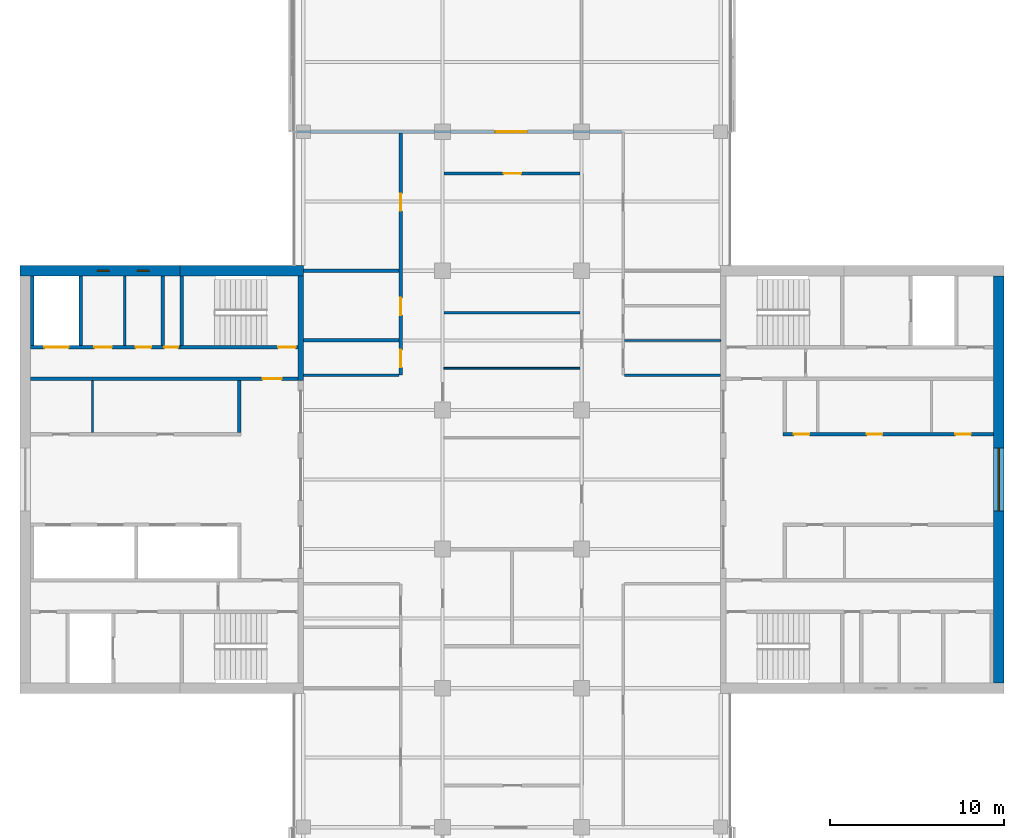
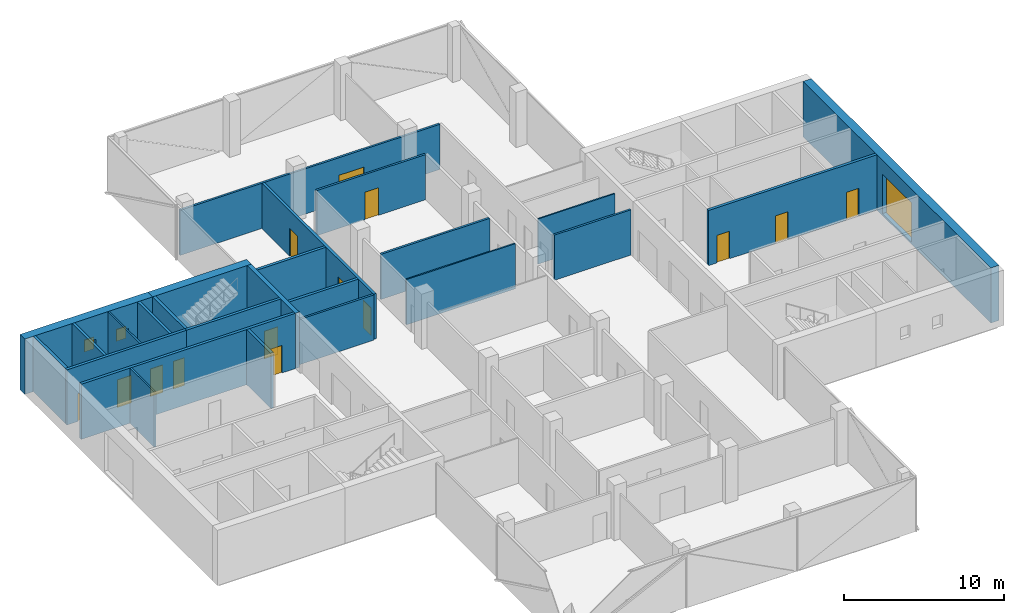
# One storey, part 11 of 15: 25 walls, 14 doors, 3 windows, 17 openings.
"""IFC4 building model written with IfcOpenShell, lengths in metres."""

from ifc_helpers import new_model, si_unit, direction, frame, frame_2d, origin, place, context, subcontext, project, spatial, rectangle, extrude, material, layer, layer_set, constituent, constituent_set, type_object, element, fill, save


model = new_model("IFC4")

# Units and contexts
model_context = context("Model", 3, precision=1e-05, world=origin(), true_north=direction((0.0, 1.0)))
body_context = subcontext(model_context, "Body", "Model", "MODEL_VIEW")
ifc_project = project(units=[si_unit("LENGTHUNIT", "METRE"), si_unit("AREAUNIT", "SQUARE_METRE"), si_unit("VOLUMEUNIT", "CUBIC_METRE"), si_unit("PLANEANGLEUNIT", "RADIAN"), si_unit("MASSUNIT", "GRAM", prefix="KILO")], contexts=[model_context])

# Site, building, storey
site_placement = place(None, origin())
site = spatial("IfcSite", under=ifc_project, at=site_placement, CompositionType="ELEMENT")
building_placement = place(site_placement, origin())
building = spatial("IfcBuilding", under=site, at=building_placement, Name="Crosswind Convention Tower", CompositionType="ELEMENT")
storey_placement = place(building_placement, frame((0.0, 0.0, 220.89990234375)))
storey = spatial("IfcBuildingStorey", under=building, at=storey_placement, Name="L47", CompositionType="ELEMENT", Elevation=220.89990234375)

# Wall
ifc_material_1 = material(Name="Concrete blockwork", Category="masonry")
ifc_layer_1 = layer(ifc_material_1, 0.199951171875)
ifc_layer_set_1 = layer_set([ifc_layer_1], Name="Blockwork partition wall 200")
wall_type_1 = type_object("IfcWallType", Name="Blockwork partition wall 200", PredefinedType="PARTITIONING", material=ifc_layer_set_1)
wall_1_placement = place(storey_placement, frame((104.89990234375, 111.699951171875, 0.0), z_axis=(0.0, 0.0, 1.0), x_axis=(0.0, -1.0, 0.0)))
element("IfcWall", 1, at=wall_1_placement, inside=storey, type_object=wall_type_1, Name="Wall MRSE W L47", PredefinedType="PARTITIONING", context=body_context, shape_type="SweptSolid", body=[
    extrude(rectangle(XDim=4.0, YDim=0.199951171875, at=frame_2d((2.0, 0.0))), origin(), (0.0, 0.0, 1.0), 4.2001953125),
])

# Wall, openings, doors
ifc_layer_2 = layer(ifc_material_1, 0.199951171875)
ifc_layer_set_2 = layer_set([ifc_layer_2], Name="COMPARTMENT WALL 200 BLOCKWORK")
wall_type_2 = type_object("IfcWallType", Name="COMPARTMENT WALL 200 BLOCKWORK", PredefinedType="SOLIDWALL", material=ifc_layer_set_2)
wall_2_placement = place(storey_placement, frame((118.60009765625, 106.0, 0.0), z_axis=(0.0, 0.0, 1.0), x_axis=(0.0, 1.0, 0.0)))
wall_2 = element("IfcWall", 2, at=wall_2_placement, inside=storey, type_object=wall_type_2, Name="Compartment wall WT42", PredefinedType="SOLIDWALL", context=body_context, shape_type="SweptSolid", body=[
    extrude(rectangle(XDim=13.925048828125, YDim=0.199951171875, at=frame_2d((6.96240234375, 0.0))), origin(), (0.0, 0.0, 1.0), 3.43994140625),
])
opening_1_placement = place(wall_2_placement, frame((0.449951171875, 0.0, 0.0)))
opening_1 = element("IfcOpeningElement", 3, at=opening_1_placement, cuts=wall_2, Name="Opening L47-55", PredefinedType="OPENING", context=body_context, shape_type="SweptSolid", body=[
    extrude(rectangle(XDim=1.0, YDim=2.10009765625, at=frame_2d((0.5, 1.050048828125))), frame((0.0, 0.10986328125, 0.0), z_axis=(0.0, -1.0, 0.0), x_axis=(1.0, 0.0, 0.0)), (0.0, 0.0, 1.0), 0.219970703125),
])
opening_2_placement = place(wall_2_placement, frame((3.449951171875, 0.0, 0.0)))
opening_2 = element("IfcOpeningElement", 4, at=opening_2_placement, cuts=wall_2, Name="Opening L47-56", PredefinedType="OPENING", context=body_context, shape_type="SweptSolid", body=[
    extrude(rectangle(XDim=1.0, YDim=2.10009765625, at=frame_2d((0.5, 1.050048828125))), frame((0.0, 0.10986328125, 0.0), z_axis=(0.0, -1.0, 0.0), x_axis=(1.0, 0.0, 0.0)), (0.0, 0.0, 1.0), 0.219970703125),
])
opening_3_placement = place(wall_2_placement, frame((9.449951171875, 0.0, 0.0)))
opening_3 = element("IfcOpeningElement", 5, at=opening_3_placement, cuts=wall_2, Name="Opening L47-57", PredefinedType="OPENING", context=body_context, shape_type="SweptSolid", body=[
    extrude(rectangle(XDim=1.0, YDim=2.10009765625, at=frame_2d((0.5, 1.050048828125))), frame((0.0, 0.10986328125, 0.0), z_axis=(0.0, -1.0, 0.0), x_axis=(1.0, 0.0, 0.0)), (0.0, 0.0, 1.0), 0.219970703125),
])
ifc_material_2 = material(Name="Steel fire door", Category="steel")
door_type_1 = type_object("IfcDoorType", Name="PLANT ROOM DOOR 1000X2100 FD60", OperationType="NOTDEFINED", PredefinedType="DOOR", material=ifc_material_2)
door_1_placement = place(opening_2_placement, origin())
door_1 = element("IfcDoor", 6, at=door_1_placement, inside=storey, type_object=door_type_1, Name="Door L47-56", ObjectType="D43", OperationType="SINGLE_SWING_LEFT", OverallHeight=2.10009765625, OverallWidth=1.0, PredefinedType="DOOR", context=body_context, shape_type="SweptSolid", body=[
    extrude(rectangle(XDim=1.0, YDim=2.10009765625, at=frame_2d((0.5, 1.050048828125))), frame((0.0, 0.02490234375, 0.0), z_axis=(0.0, -1.0, 0.0), x_axis=(1.0, 0.0, 0.0)), (0.0, 0.0, 1.0), 0.050048828125),
])
fill(opening_2, door_1)
ifc_material_3 = material(Name="Timber fire door", Category="wood")
door_type_2 = type_object("IfcDoorType", Name="TENANCY ENTRANCE DOOR 1000X2100 FD30S", OperationType="NOTDEFINED", PredefinedType="DOOR", material=ifc_material_3)
door_2_placement = place(opening_1_placement, origin())
door_2 = element("IfcDoor", 7, at=door_2_placement, inside=storey, type_object=door_type_2, Name="Door L47-55", ObjectType="D41", OperationType="SINGLE_SWING_LEFT", OverallHeight=2.10009765625, OverallWidth=1.0, PredefinedType="DOOR", context=body_context, shape_type="SweptSolid", body=[
    extrude(rectangle(XDim=1.0, YDim=2.10009765625, at=frame_2d((0.5, 1.050048828125))), frame((0.0, 0.02490234375, 0.0), z_axis=(0.0, -1.0, 0.0), x_axis=(1.0, 0.0, 0.0)), (0.0, 0.0, 1.0), 0.050048828125),
])
fill(opening_1, door_2)
door_3_placement = place(opening_3_placement, origin())
door_3 = element("IfcDoor", 8, at=door_3_placement, inside=storey, type_object=door_type_2, Name="Door L47-57", ObjectType="D41", OperationType="SINGLE_SWING_LEFT", OverallHeight=2.10009765625, OverallWidth=1.0, PredefinedType="DOOR", context=body_context, shape_type="SweptSolid", body=[
    extrude(rectangle(XDim=1.0, YDim=2.10009765625, at=frame_2d((0.5, 1.050048828125))), frame((0.0, 0.02490234375, 0.0), z_axis=(0.0, -1.0, 0.0), x_axis=(1.0, 0.0, 0.0)), (0.0, 0.0, 1.0), 0.050048828125),
])
fill(opening_3, door_3)

# Walls
for number, where, z_axis, x_axis, name in (
    (9, (113.0, 108.0, 0.0), (0.0, 0.0, 1.0), (1.0, 0.0, 0.0), "Compartment wall WT42"),
    (10, (113.0, 112.0, 0.0), (0.0, 0.0, 1.0), (1.0, 0.0, 0.0), "Compartment wall WT42"),
):
    element("IfcWall", number, at=place(storey_placement, frame(where, z_axis=z_axis, x_axis=x_axis)), inside=storey, type_object=wall_type_2, Name=name, PredefinedType="SOLIDWALL", context=body_context, shape_type="SweptSolid", body=[
        extrude(rectangle(XDim=5.5, YDim=0.199951171875, at=frame_2d((2.75, 0.0))), origin(), (0.0, 0.0, 1.0), 3.43994140625),
    ])
ifc_material_4 = material(Name="Concrete C50/60", Category="concrete")
ifc_layer_3 = layer(ifc_material_4, 0.300048828125)
ifc_layer_set_3 = layer_set([ifc_layer_3], Name="Concrete C50/60")
wall_type_3 = type_object("IfcWallType", Name="Concrete inner core wall 300", PredefinedType="SHEAR", material=ifc_layer_set_3)
wall_3_placement = place(storey_placement, frame((112.85009765625, 111.699951171875, 0.0), z_axis=(0.0, 0.0, 1.0), x_axis=(0.0, -1.0, 0.0)))
element("IfcWall", 11, at=wall_3_placement, inside=storey, type_object=wall_type_3, Name="Wall EM W L47", PredefinedType="SHEAR", context=body_context, shape_type="SweptSolid", body=[
    extrude(rectangle(XDim=6.0, YDim=0.300048828125, at=frame_2d((3.0, 0.0))), origin(), (0.0, 0.0, 1.0), 4.2001953125),
])

# Wall, openings, doors
ifc_layer_4 = layer(ifc_material_4, 0.199951171875)
ifc_layer_set_4 = layer_set([ifc_layer_4], Name="Concrete C50/60")
wall_type_4 = type_object("IfcWallType", Name="Concrete shaft and stair wall 200", PredefinedType="SHEAR", material=ifc_layer_set_4)
wall_4_placement = place(storey_placement, frame((140.60009765625, 102.60009765625, 0.0), z_axis=(0.0, 0.0, 1.0), x_axis=(1.0, 0.0, 0.0)))
wall_4 = element("IfcWall", 12, at=wall_4_placement, inside=storey, type_object=wall_type_4, Name="Wall RPFRONT E L47", PredefinedType="SHEAR", context=body_context, shape_type="SweptSolid", body=[
    extrude(rectangle(XDim=12.099853515625, YDim=0.199951171875, at=frame_2d((6.0498046875, 0.0))), origin(), (0.0, 0.0, 1.0), 4.2001953125),
])
opening_4_placement = place(wall_4_placement, frame((0.611328125, 0.0, 0.0)))
opening_4 = element("IfcOpeningElement", 13, at=opening_4_placement, cuts=wall_4, Name="Opening D106", PredefinedType="OPENING", context=body_context, shape_type="SweptSolid", body=[
    extrude(rectangle(XDim=0.89990234375, YDim=2.10009765625, at=frame_2d((0.449951171875, 1.050048828125))), frame((0.0, 0.10986328125, 0.0), z_axis=(0.0, -1.0, 0.0), x_axis=(1.0, 0.0, 0.0)), (0.0, 0.0, 1.0), 0.219970703125),
])
opening_5_placement = place(wall_4_placement, frame((4.8076171875, 0.0, 0.0)))
opening_5 = element("IfcOpeningElement", 14, at=opening_5_placement, cuts=wall_4, Name="Opening D106", PredefinedType="OPENING", context=body_context, shape_type="SweptSolid", body=[
    extrude(rectangle(XDim=0.89990234375, YDim=2.10009765625, at=frame_2d((0.449951171875, 1.050048828125))), frame((0.0, 0.10986328125, 0.0), z_axis=(0.0, -1.0, 0.0), x_axis=(1.0, 0.0, 0.0)), (0.0, 0.0, 1.0), 0.219970703125),
])
opening_6_placement = place(wall_4_placement, frame((9.896240234375, 0.0, 0.0)))
opening_6 = element("IfcOpeningElement", 15, at=opening_6_placement, cuts=wall_4, Name="Opening D106", PredefinedType="OPENING", context=body_context, shape_type="SweptSolid", body=[
    extrude(rectangle(XDim=0.89990234375, YDim=2.10009765625, at=frame_2d((0.449951171875, 1.050048828125))), frame((0.0, 0.10986328125, 0.0), z_axis=(0.0, -1.0, 0.0), x_axis=(1.0, 0.0, 0.0)), (0.0, 0.0, 1.0), 0.219970703125),
])
ifc_material_5 = material(Name="Timber door", Category="wood")
door_type_3 = type_object("IfcDoorType", Name="Single leaf door 900x2100", OperationType="NOTDEFINED", PredefinedType="DOOR", material=ifc_material_5)
door_4_placement = place(opening_4_placement, origin())
door_4 = element("IfcDoor", 16, at=door_4_placement, inside=storey, type_object=door_type_3, Name="Door to tenant services room L47", ObjectType="D106", OperationType="SINGLE_SWING_RIGHT", OverallHeight=2.10009765625, OverallWidth=0.89990234375, PredefinedType="DOOR", context=body_context, shape_type="SweptSolid", body=[
    extrude(rectangle(XDim=0.89990234375, YDim=2.10009765625, at=frame_2d((0.449951171875, 1.050048828125))), frame((0.0, 0.02490234375, 0.0), z_axis=(0.0, -1.0, 0.0), x_axis=(1.0, 0.0, 0.0)), (0.0, 0.0, 1.0), 0.050048828125),
])
fill(opening_4, door_4)
door_5_placement = place(opening_5_placement, origin())
door_5 = element("IfcDoor", 17, at=door_5_placement, inside=storey, type_object=door_type_3, Name="Door to copy and print room L47", ObjectType="D106", OperationType="SINGLE_SWING_RIGHT", OverallHeight=2.10009765625, OverallWidth=0.89990234375, PredefinedType="DOOR", context=body_context, shape_type="SweptSolid", body=[
    extrude(rectangle(XDim=0.89990234375, YDim=2.10009765625, at=frame_2d((0.449951171875, 1.050048828125))), frame((0.0, 0.02490234375, 0.0), z_axis=(0.0, -1.0, 0.0), x_axis=(1.0, 0.0, 0.0)), (0.0, 0.0, 1.0), 0.050048828125),
])
fill(opening_5, door_5)
door_6_placement = place(opening_6_placement, origin())
door_6 = element("IfcDoor", 18, at=door_6_placement, inside=storey, type_object=door_type_3, Name="Door to meeting room L47", ObjectType="D106", OperationType="SINGLE_SWING_RIGHT", OverallHeight=2.10009765625, OverallWidth=0.89990234375, PredefinedType="DOOR", context=body_context, shape_type="SweptSolid", body=[
    extrude(rectangle(XDim=0.89990234375, YDim=2.10009765625, at=frame_2d((0.449951171875, 1.050048828125))), frame((0.0, 0.02490234375, 0.0), z_axis=(0.0, -1.0, 0.0), x_axis=(1.0, 0.0, 0.0)), (0.0, 0.0, 1.0), 0.050048828125),
])
fill(opening_6, door_6)

# Wall
wall_5_placement = place(storey_placement, frame((109.300048828125, 105.699951171875, 0.0), z_axis=(0.0, 0.0, 1.0), x_axis=(0.0, -1.0, 0.0)))
element("IfcWall", 19, at=wall_5_placement, inside=storey, type_object=wall_type_4, Name="Wall RMEND W L47", PredefinedType="SHEAR", context=body_context, shape_type="SweptSolid", body=[
    extrude(rectangle(XDim=3.0, YDim=0.199951171875, at=frame_2d((1.5, 0.0))), origin(), (0.0, 0.0, 1.0), 4.2001953125),
])

# Wall, opening, door
wall_6_placement = place(storey_placement, frame((112.699951171875, 105.800048828125, 0.0), z_axis=(0.0, 0.0, 1.0), x_axis=(-1.0, 0.0, 0.0)))
wall_6 = element("IfcWall", 20, at=wall_6_placement, inside=storey, type_object=wall_type_4, Name="Wall HM W L47", PredefinedType="SHEAR", context=body_context, shape_type="SweptSolid", body=[
    extrude(rectangle(XDim=15.39990234375, YDim=0.199951171875, at=frame_2d((7.699951171875, 0.0))), origin(), (0.0, 0.0, 1.0), 4.2001953125),
])
opening_7_placement = place(wall_6_placement, frame((0.949951171875, 0.0, 0.0)))
opening_7 = element("IfcOpeningElement", 21, at=opening_7_placement, cuts=wall_6, Name="Opening D104", PredefinedType="OPENING", context=body_context, shape_type="SweptSolid", body=[
    extrude(rectangle(XDim=1.10009765625, YDim=2.10009765625, at=frame_2d((0.550048828125, 1.050048828125))), frame((0.0, 0.10986328125, 0.0), z_axis=(0.0, -1.0, 0.0), x_axis=(1.0, 0.0, 0.0)), (0.0, 0.0, 1.0), 0.219970703125),
])
door_type_4 = type_object("IfcDoorType", Name="Fire-rated single door 1100x2100", OperationType="NOTDEFINED", PredefinedType="DOOR", material=ifc_material_2)
door_7_placement = place(opening_7_placement, origin())
door_7 = element("IfcDoor", 22, at=door_7_placement, inside=storey, type_object=door_type_4, Name="Corridor door L47", ObjectType="D104", OperationType="SINGLE_SWING_LEFT", OverallHeight=2.10009765625, OverallWidth=1.10009765625, PredefinedType="DOOR", context=body_context, shape_type="SweptSolid", body=[
    extrude(rectangle(XDim=1.10009765625, YDim=2.10009765625, at=frame_2d((0.550048828125, 1.050048828125))), frame((0.0, 0.02490234375, 0.0), z_axis=(0.0, -1.0, 0.0), x_axis=(1.0, 0.0, 0.0)), (0.0, 0.0, 1.0), 0.050048828125),
])
fill(opening_7, door_7)

# Walls
for number, where, z_axis, x_axis, name in (
    (23, (106.0, 111.699951171875, 0.0), (0.0, 0.0, 1.0), (0.0, -1.0, 0.0), "Wall MSE W L47"),
    (24, (100.199951171875, 111.699951171875, 0.0), (0.0, 0.0, 1.0), (0.0, -1.0, 0.0), "Wall MFSW W L47"),
    (25, (97.39990234375, 111.699951171875, 0.0), (0.0, 0.0, 1.0), (0.0, -1.0, 0.0), "Wall MFSE W L47"),
):
    element("IfcWall", number, at=place(storey_placement, frame(where, z_axis=z_axis, x_axis=x_axis)), inside=storey, type_object=wall_type_4, Name=name, PredefinedType="SHEAR", context=body_context, shape_type="SweptSolid", body=[
        extrude(rectangle(XDim=4.0, YDim=0.199951171875, at=frame_2d((2.0, 0.0))), origin(), (0.0, 0.0, 1.0), 4.2001953125),
    ])

# Wall, opening, door
wall_7_placement = place(storey_placement, frame((112.699951171875, 107.60009765625, 0.0), z_axis=(0.0, 0.0, 1.0), x_axis=(-1.0, 0.0, 0.0)))
wall_7 = element("IfcWall", 26, at=wall_7_placement, inside=storey, type_object=wall_type_4, Name="Wall MCW W L47", PredefinedType="SHEAR", context=body_context, shape_type="SweptSolid", body=[
    extrude(rectangle(XDim=6.800048828125, YDim=0.199951171875, at=frame_2d((3.39990234375, 0.0))), origin(), (0.0, 0.0, 1.0), 4.2001953125),
])
opening_8_placement = place(wall_7_placement, frame((0.14990234375, 0.0, 0.0)))
opening_8 = element("IfcOpeningElement", 27, at=opening_8_placement, cuts=wall_7, Name="Opening D103", PredefinedType="OPENING", context=body_context, shape_type="SweptSolid", body=[
    extrude(rectangle(XDim=1.0, YDim=2.10009765625, at=frame_2d((0.5, 1.050048828125))), frame((0.0, 0.10986328125, 0.0), z_axis=(0.0, -1.0, 0.0), x_axis=(1.0, 0.0, 0.0)), (0.0, 0.0, 1.0), 0.219970703125),
])
door_type_5 = type_object("IfcDoorType", Name="Fire-rated single door 1000x2100", OperationType="NOTDEFINED", PredefinedType="DOOR", material=ifc_material_2)
door_8_placement = place(opening_8_placement, frame((1.0, 0.0, 0.0), z_axis=(0.0, 0.0, 1.0), x_axis=(-1.0, 0.0, 0.0)))
door_8 = element("IfcDoor", 28, at=door_8_placement, inside=storey, type_object=door_type_5, Name="Stair ST4 door L47", ObjectType="D103", OperationType="SINGLE_SWING_RIGHT", OverallHeight=2.10009765625, OverallWidth=1.0, PredefinedType="DOOR", context=body_context, shape_type="SweptSolid", body=[
    extrude(rectangle(XDim=1.0, YDim=2.10009765625, at=frame_2d((0.5, 1.050048828125))), frame((0.0, 0.02490234375, 0.0), z_axis=(0.0, -1.0, 0.0), x_axis=(1.0, 0.0, 0.0)), (0.0, 0.0, 1.0), 0.050048828125),
])
fill(opening_8, door_8)

# Wall, openings, doors
wall_8_placement = place(storey_placement, frame((105.89990234375, 107.60009765625, 0.0), z_axis=(0.0, 0.0, 1.0), x_axis=(-1.0, 0.0, 0.0)))
wall_8 = element("IfcWall", 29, at=wall_8_placement, inside=storey, type_object=wall_type_4, Name="Wall MCX W L47", PredefinedType="SHEAR", context=body_context, shape_type="SweptSolid", body=[
    extrude(rectangle(XDim=8.599853515625, YDim=0.199951171875, at=frame_2d((4.2998046875, 0.0))), origin(), (0.0, 0.0, 1.0), 4.2001953125),
])
opening_9_placement = place(wall_8_placement, frame((0.10009765625, 0.0, 0.0)))
opening_9 = element("IfcOpeningElement", 30, at=opening_9_placement, cuts=wall_8, Name="Opening D105", PredefinedType="OPENING", context=body_context, shape_type="SweptSolid", body=[
    extrude(rectangle(XDim=0.800048828125, YDim=2.10009765625, at=frame_2d((0.39990234375, 1.050048828125))), frame((0.0, 0.10986328125, 0.0), z_axis=(0.0, -1.0, 0.0), x_axis=(1.0, 0.0, 0.0)), (0.0, 0.0, 1.0), 0.219970703125),
])
opening_10_placement = place(wall_8_placement, frame((1.65380859375, 0.0, 0.0)))
opening_10 = element("IfcOpeningElement", 31, at=opening_10_placement, cuts=wall_8, Name="Opening D106", PredefinedType="OPENING", context=body_context, shape_type="SweptSolid", body=[
    extrude(rectangle(XDim=0.89990234375, YDim=2.10009765625, at=frame_2d((0.449951171875, 1.050048828125))), frame((0.0, 0.10986328125, 0.0), z_axis=(0.0, -1.0, 0.0), x_axis=(1.0, 0.0, 0.0)), (0.0, 0.0, 1.0), 0.219970703125),
])
opening_11_placement = place(wall_8_placement, frame((3.916259765625, 0.0, 0.0)))
opening_11 = element("IfcOpeningElement", 32, at=opening_11_placement, cuts=wall_8, Name="Opening D103", PredefinedType="OPENING", context=body_context, shape_type="SweptSolid", body=[
    extrude(rectangle(XDim=1.0, YDim=2.10009765625, at=frame_2d((0.5, 1.050048828125))), frame((0.0, 0.10986328125, 0.0), z_axis=(0.0, -1.0, 0.0), x_axis=(1.0, 0.0, 0.0)), (0.0, 0.0, 1.0), 0.219970703125),
])
opening_12_placement = place(wall_8_placement, frame((6.39990234375, 0.0, 0.0)))
opening_12 = element("IfcOpeningElement", 33, at=opening_12_placement, cuts=wall_8, Name="Opening LD2", PredefinedType="OPENING", context=body_context, shape_type="SweptSolid", body=[
    extrude(rectangle(XDim=1.39990234375, YDim=2.10009765625, at=frame_2d((0.699951171875, 1.050048828125))), frame((0.0, 0.10986328125, 0.0), z_axis=(0.0, -1.0, 0.0), x_axis=(1.0, 0.0, 0.0)), (0.0, 0.0, 1.0), 0.219970703125),
])
door_9_placement = place(opening_11_placement, frame((1.0, 0.0, 0.0), z_axis=(0.0, 0.0, 1.0), x_axis=(-1.0, 0.0, 0.0)))
door_9 = element("IfcDoor", 34, at=door_9_placement, inside=storey, type_object=door_type_5, Name="Door to accessible wc L47", ObjectType="D103", OperationType="SINGLE_SWING_LEFT", OverallHeight=2.10009765625, OverallWidth=1.0, PredefinedType="DOOR", context=body_context, shape_type="SweptSolid", body=[
    extrude(rectangle(XDim=1.0, YDim=2.10009765625, at=frame_2d((0.5, 1.050048828125))), frame((0.0, 0.02490234375, 0.0), z_axis=(0.0, -1.0, 0.0), x_axis=(1.0, 0.0, 0.0)), (0.0, 0.0, 1.0), 0.050048828125),
])
fill(opening_11, door_9)
ifc_material_6 = material(Name="Stainless steel", Category="steel")
door_type_6 = type_object("IfcDoorType", Name="Lift landing door 1400x2100", OperationType="DOUBLE_DOOR_SLIDING", PredefinedType="DOOR", material=ifc_material_6)
door_10_placement = place(opening_12_placement, origin())
door_10 = element("IfcDoor", 35, at=door_10_placement, inside=storey, type_object=door_type_6, Name="Landing door SV2 L47", ObjectType="LD2", OperationType="DOUBLE_DOOR_SLIDING", OverallHeight=2.10009765625, OverallWidth=1.39990234375, PredefinedType="DOOR", context=body_context, shape_type="SweptSolid", body=[
    extrude(rectangle(XDim=1.39990234375, YDim=2.10009765625, at=frame_2d((0.699951171875, 1.050048828125))), frame((0.0, 0.02490234375, 0.0), z_axis=(0.0, -1.0, 0.0), x_axis=(1.0, 0.0, 0.0)), (0.0, 0.0, 1.0), 0.050048828125),
])
fill(opening_12, door_10)
door_type_7 = type_object("IfcDoorType", Name="Riser access door 800x2100", OperationType="NOTDEFINED", PredefinedType="DOOR", material=ifc_material_2)
door_11_placement = place(opening_9_placement, frame((0.800048828125, 0.0, 0.0), z_axis=(0.0, 0.0, 1.0), x_axis=(-1.0, 0.0, 0.0)))
door_11 = element("IfcDoor", 36, at=door_11_placement, inside=storey, type_object=door_type_7, Name="Riser door L47", ObjectType="D105", OperationType="SINGLE_SWING_LEFT", OverallHeight=2.10009765625, OverallWidth=0.800048828125, PredefinedType="DOOR", context=body_context, shape_type="SweptSolid", body=[
    extrude(rectangle(XDim=0.800048828125, YDim=2.10009765625, at=frame_2d((0.39990234375, 1.050048828125))), frame((0.0, 0.02490234375, 0.0), z_axis=(0.0, -1.0, 0.0), x_axis=(1.0, 0.0, 0.0)), (0.0, 0.0, 1.0), 0.050048828125),
])
fill(opening_9, door_11)
door_12_placement = place(opening_10_placement, frame((0.89990234375, 0.0, 0.0), z_axis=(0.0, 0.0, 1.0), x_axis=(-1.0, 0.0, 0.0)))
door_12 = element("IfcDoor", 37, at=door_12_placement, inside=storey, type_object=door_type_3, Name="Door to wc L47", ObjectType="D106", OperationType="SINGLE_SWING_LEFT", OverallHeight=2.10009765625, OverallWidth=0.89990234375, PredefinedType="DOOR", context=body_context, shape_type="SweptSolid", body=[
    extrude(rectangle(XDim=0.89990234375, YDim=2.10009765625, at=frame_2d((0.449951171875, 1.050048828125))), frame((0.0, 0.02490234375, 0.0), z_axis=(0.0, -1.0, 0.0), x_axis=(1.0, 0.0, 0.0)), (0.0, 0.0, 1.0), 0.050048828125),
])
fill(opening_10, door_12)

# Walls
ifc_material_7 = material(Name="Gypsum plasterboard partition", Category="gypsum")
ifc_layer_5 = layer(ifc_material_7, 0.125)
ifc_layer_set_5 = layer_set([ifc_layer_5], Name="Drywall partition wall 125")
wall_type_5 = type_object("IfcWallType", Name="Drywall partition wall 125", PredefinedType="PARTITIONING", material=ifc_layer_set_5)
wall_9_placement = place(storey_placement, frame((100.8701171875, 105.699951171875, 0.0), z_axis=(0.0, 0.0, 1.0), x_axis=(0.0, -1.0, 0.0)))
element("IfcWall", 38, at=wall_9_placement, inside=storey, type_object=wall_type_5, Name="Wall RMP1 W L47", PredefinedType="PARTITIONING", context=body_context, shape_type="SweptSolid", body=[
    extrude(rectangle(XDim=3.0, YDim=0.125, at=frame_2d((1.5, 0.0))), origin(), (0.0, 0.0, 1.0), 4.2001953125),
])
wall_10_placement = place(storey_placement, frame((102.72998046875, 111.699951171875, 0.0), z_axis=(0.0, 0.0, 1.0), x_axis=(0.0, -1.0, 0.0)))
element("IfcWall", 39, at=wall_10_placement, inside=storey, type_object=wall_type_5, Name="Wall MWP1 W L47", PredefinedType="PARTITIONING", context=body_context, shape_type="SweptSolid", body=[
    extrude(rectangle(XDim=4.0, YDim=0.125, at=frame_2d((2.0, 0.0))), origin(), (0.0, 0.0, 1.0), 4.2001953125),
])
ifc_material_8 = material(Name="Plasterboard partition", Category="gypsum")
ifc_layer_6 = layer(ifc_material_8, 0.10009765625)
ifc_layer_set_6 = layer_set([ifc_layer_6], Name="PARTITION 100 METAL STUD")
wall_type_6 = type_object("IfcWallType", Name="PARTITION 100 METAL STUD", PredefinedType="PARTITIONING", material=ifc_layer_set_6)
wall_11_placement = place(storey_placement, frame((121.074951171875, 106.39990234375, 0.0), z_axis=(0.0, 0.0, 1.0), x_axis=(1.0, 0.0, 0.0)))
element("IfcWall", 40, at=wall_11_placement, inside=storey, type_object=wall_type_6, Name="Partition wall WT40", PredefinedType="PARTITIONING", context=body_context, shape_type="SweptSolid", body=[
    extrude(rectangle(XDim=7.824951171875, YDim=0.10009765625, at=frame_2d((3.91259765625, 0.0))), origin(), (0.0, 0.0, 1.0), 3.43994140625),
])
wall_12_placement = place(storey_placement, frame((131.47509765625, 108.0, 0.0), z_axis=(0.0, 0.0, 1.0), x_axis=(1.0, 0.0, 0.0)))
element("IfcWall", 41, at=wall_12_placement, inside=storey, type_object=wall_type_6, Name="Partition wall WT40", PredefinedType="PARTITIONING", context=body_context, shape_type="SweptSolid", body=[
    extrude(rectangle(XDim=5.52490234375, YDim=0.10009765625, at=frame_2d((2.762451171875, 0.0))), origin(), (0.0, 0.0, 1.0), 3.43994140625),
])
ifc_material_9 = material(Name="Fire-board partition with mineral wool", Category="gypsum")
ifc_layer_7 = layer(ifc_material_9, 0.14990234375)
ifc_layer_set_7 = layer_set([ifc_layer_7], Name="TENANCY WALL 150 TWO-HOUR BOARD")
wall_type_7 = type_object("IfcWallType", Name="TENANCY WALL 150 TWO-HOUR BOARD", PredefinedType="PARTITIONING", material=ifc_layer_set_7)
wall_13_placement = place(storey_placement, frame((113.0, 106.0, 0.0), z_axis=(0.0, 0.0, 1.0), x_axis=(1.0, 0.0, 0.0)))
element("IfcWall", 42, at=wall_13_placement, inside=storey, type_object=wall_type_7, Name="Tenancy wall WT41", PredefinedType="PARTITIONING", context=body_context, shape_type="SweptSolid", body=[
    extrude(rectangle(XDim=5.5, YDim=0.14990234375, at=frame_2d((2.75, 0.0))), origin(), (0.0, 0.0, 1.0), 3.43994140625),
])
wall_14_placement = place(storey_placement, frame((131.47509765625, 106.0, 0.0), z_axis=(0.0, 0.0, 1.0), x_axis=(1.0, 0.0, 0.0)))
element("IfcWall", 43, at=wall_14_placement, inside=storey, type_object=wall_type_7, Name="Tenancy wall WT41", PredefinedType="PARTITIONING", context=body_context, shape_type="SweptSolid", body=[
    extrude(rectangle(XDim=5.52490234375, YDim=0.14990234375, at=frame_2d((2.762451171875, 0.0))), origin(), (0.0, 0.0, 1.0), 3.43994140625),
])
wall_15_placement = place(storey_placement, frame((121.074951171875, 109.60009765625, 0.0), z_axis=(0.0, 0.0, 1.0), x_axis=(1.0, 0.0, 0.0)))
element("IfcWall", 44, at=wall_15_placement, inside=storey, type_object=wall_type_7, Name="Tenancy wall WT41", PredefinedType="PARTITIONING", context=body_context, shape_type="SweptSolid", body=[
    extrude(rectangle(XDim=7.824951171875, YDim=0.14990234375, at=frame_2d((3.91259765625, 0.0))), origin(), (0.0, 0.0, 1.0), 3.43994140625),
])

# Wall, opening, door
wall_16_placement = place(storey_placement, frame((121.074951171875, 117.60009765625, 0.0), z_axis=(0.0, 0.0, 1.0), x_axis=(1.0, 0.0, 0.0)))
wall_16 = element("IfcWall", 45, at=wall_16_placement, inside=storey, type_object=wall_type_7, Name="Tenancy wall WT41", PredefinedType="PARTITIONING", context=body_context, shape_type="SweptSolid", body=[
    extrude(rectangle(XDim=7.824951171875, YDim=0.14990234375, at=frame_2d((3.91259765625, 0.0))), origin(), (0.0, 0.0, 1.0), 3.43994140625),
])
opening_13_placement = place(wall_16_placement, frame((3.449951171875, 0.0, 0.0)))
opening_13 = element("IfcOpeningElement", 46, at=opening_13_placement, cuts=wall_16, Name="Opening L47-70", PredefinedType="OPENING", context=body_context, shape_type="SweptSolid", body=[
    extrude(rectangle(XDim=1.0, YDim=2.10009765625, at=frame_2d((0.5, 1.050048828125))), frame((0.0, 0.0849609375, 0.0), z_axis=(0.0, -1.0, 0.0), x_axis=(1.0, 0.0, 0.0)), (0.0, 0.0, 1.0), 0.169921875),
])
door_13_placement = place(opening_13_placement, frame((1.0, 0.0, 0.0), z_axis=(0.0, 0.0, 1.0), x_axis=(-1.0, 0.0, 0.0)))
door_13 = element("IfcDoor", 47, at=door_13_placement, inside=storey, type_object=door_type_2, Name="Door L47-70", ObjectType="D41", OperationType="SINGLE_SWING_LEFT", OverallHeight=2.10009765625, OverallWidth=1.0, PredefinedType="DOOR", context=body_context, shape_type="SweptSolid", body=[
    extrude(rectangle(XDim=1.0, YDim=2.10009765625, at=frame_2d((0.5, 1.050048828125))), frame((0.0, 0.02490234375, 0.0), z_axis=(0.0, -1.0, 0.0), x_axis=(1.0, 0.0, 0.0)), (0.0, 0.0, 1.0), 0.050048828125),
])
fill(opening_13, door_13)

wall_17_placement = place(storey_placement, frame((112.6298828125, 120.0, 0.0), z_axis=(0.0, 0.0, 1.0), x_axis=(1.0, 0.0, 0.0)))
wall_17 = element("IfcWall", 48, at=wall_17_placement, inside=storey, type_object=wall_type_7, Name="Tenancy wall WT41", PredefinedType="PARTITIONING", context=body_context, shape_type="SweptSolid", body=[
    extrude(rectangle(XDim=18.695068359375, YDim=0.14990234375, at=frame_2d((9.34765625, 0.0))), origin(), (0.0, 0.0, 1.0), 3.43994140625),
])
opening_14_placement = place(wall_17_placement, frame((11.419921875, 0.0, 0.0)))
opening_14 = element("IfcOpeningElement", 49, at=opening_14_placement, cuts=wall_17, Name="Opening L47-61", PredefinedType="OPENING", context=body_context, shape_type="SweptSolid", body=[
    extrude(rectangle(XDim=1.800048828125, YDim=2.10009765625, at=frame_2d((0.89990234375, 1.050048828125))), frame((0.0, 0.0849609375, 0.0), z_axis=(0.0, -1.0, 0.0), x_axis=(1.0, 0.0, 0.0)), (0.0, 0.0, 1.0), 0.169921875),
])
door_type_8 = type_object("IfcDoorType", Name="TENANCY ENTRANCE DOUBLE DOOR 1800X2100 FD30S", OperationType="DOUBLE_DOOR_SINGLE_SWING", PredefinedType="DOOR", material=ifc_material_3)
door_14_placement = place(opening_14_placement, origin())
door_14 = element("IfcDoor", 50, at=door_14_placement, inside=storey, type_object=door_type_8, Name="Door L47-61", ObjectType="D42", OperationType="DOUBLE_DOOR_SINGLE_SWING", OverallHeight=2.10009765625, OverallWidth=1.800048828125, PredefinedType="DOOR", context=body_context, shape_type="SweptSolid", body=[
    extrude(rectangle(XDim=1.800048828125, YDim=2.10009765625, at=frame_2d((0.89990234375, 1.050048828125))), frame((0.0, 0.02490234375, 0.0), z_axis=(0.0, -1.0, 0.0), x_axis=(1.0, 0.0, 0.0)), (0.0, 0.0, 1.0), 0.050048828125),
])
fill(opening_14, door_14)

# Wall, opening, window
ifc_material_10 = material(Name="Concrete C60/75", Category="concrete")
ifc_constituent_1 = constituent(ifc_material_10, Name="Structure")
ifc_material_11 = material(Name="Terracotta rainscreen", Category="ceramic")
ifc_constituent_2 = constituent(ifc_material_11, Name="Facing")
ifc_constituent_set = constituent_set(constituents=[ifc_constituent_1, ifc_constituent_2], Name="Concrete C60/75, Terracotta rainscreen")
wall_type_8 = type_object("IfcWallType", Name="Terracotta rainscreen on concrete core wall 600", PredefinedType="SHEAR", material=ifc_constituent_set)
wall_18_placement = place(storey_placement, frame((153.0, 88.300048828125, 0.0), z_axis=(0.0, 0.0, 1.0), x_axis=(0.0, 1.0, 0.0)))
wall_18 = element("IfcWall", 51, at=wall_18_placement, inside=storey, type_object=wall_type_8, Name="Wall O E L47", PredefinedType="SHEAR", context=body_context, shape_type="SweptSolid", body=[
    extrude(rectangle(XDim=23.39990234375, YDim=0.60009765625, at=frame_2d((11.699951171875, 0.0))), origin(), (0.0, 0.0, 1.0), 4.2001953125),
])
opening_15_placement = place(wall_18_placement, frame((9.89990234375, 0.0, 0.14990234375)))
opening_15 = element("IfcOpeningElement", 52, at=opening_15_placement, cuts=wall_18, Name="Opening W1", PredefinedType="OPENING", context=body_context, shape_type="SweptSolid", body=[
    extrude(rectangle(XDim=3.60009765625, YDim=3.0, at=frame_2d((1.800048828125, 1.5))), frame((0.0, 0.31005859375, 0.0), z_axis=(0.0, -1.0, 0.0), x_axis=(1.0, 0.0, 0.0)), (0.0, 0.0, 1.0), 0.6201171875),
])
ifc_material_12 = material(Name="Clear laminated glass in aluminium frame", Category="aluminium")
window_type_1 = type_object("IfcWindowType", Name="Lobby end window 3600x3000", PartitioningType="SINGLE_PANEL", PredefinedType="WINDOW", material=ifc_material_12)
window_1_placement = place(opening_15_placement, origin())
window_1 = element("IfcWindow", 53, at=window_1_placement, inside=storey, type_object=window_type_1, Name="Lobby end window L47", ObjectType="W1", OverallHeight=3.0, OverallWidth=3.60009765625, PartitioningType="SINGLE_PANEL", PredefinedType="WINDOW", context=body_context, shape_type="SweptSolid", body=[
    extrude(rectangle(XDim=3.60009765625, YDim=3.0, at=frame_2d((1.800048828125, 1.5))), frame((0.0, 0.030029296875, 0.0), z_axis=(0.0, -1.0, 0.0), x_axis=(1.0, 0.0, 0.0)), (0.0, 0.0, 1.0), 0.06005859375),
])
fill(opening_15, window_1)

# Wall
wall_19_placement = place(storey_placement, frame((113.0, 112.0, 0.0), z_axis=(0.0, 0.0, 1.0), x_axis=(-1.0, 0.0, 0.0)))
element("IfcWall", 54, at=wall_19_placement, inside=storey, type_object=wall_type_8, Name="Wall S1 W L47", PredefinedType="SHEAR", context=body_context, shape_type="SweptSolid", body=[
    extrude(rectangle(XDim=7.10009765625, YDim=0.60009765625, at=frame_2d((3.550048828125, 0.0))), origin(), (0.0, 0.0, 1.0), 4.2001953125),
])

# Wall, openings, windows
wall_20_placement = place(storey_placement, frame((105.89990234375, 112.0, 0.0), z_axis=(0.0, 0.0, 1.0), x_axis=(-1.0, 0.0, 0.0)))
wall_20 = element("IfcWall", 55, at=wall_20_placement, inside=storey, type_object=wall_type_8, Name="Wall S2 W L47", PredefinedType="SHEAR", context=body_context, shape_type="SweptSolid", body=[
    extrude(rectangle(XDim=9.199951171875, YDim=0.60009765625, at=frame_2d((4.60009765625, 0.0))), origin(), (0.0, 0.0, 1.0), 4.2001953125),
])
opening_16_placement = place(wall_20_placement, frame((1.753662109375, 0.0, 1.5)))
opening_16 = element("IfcOpeningElement", 56, at=opening_16_placement, cuts=wall_20, Name="Opening W2", PredefinedType="OPENING", context=body_context, shape_type="SweptSolid", body=[
    extrude(rectangle(XDim=0.699951171875, YDim=0.89990234375, at=frame_2d((0.35009765625, 0.449951171875))), frame((0.0, 0.31005859375, 0.0), z_axis=(0.0, -1.0, 0.0), x_axis=(1.0, 0.0, 0.0)), (0.0, 0.0, 1.0), 0.6201171875),
])
opening_17_placement = place(wall_20_placement, frame((4.066162109375, 0.0, 1.5)))
opening_17 = element("IfcOpeningElement", 57, at=opening_17_placement, cuts=wall_20, Name="Opening W2", PredefinedType="OPENING", context=body_context, shape_type="SweptSolid", body=[
    extrude(rectangle(XDim=0.699951171875, YDim=0.89990234375, at=frame_2d((0.35009765625, 0.449951171875))), frame((0.0, 0.31005859375, 0.0), z_axis=(0.0, -1.0, 0.0), x_axis=(1.0, 0.0, 0.0)), (0.0, 0.0, 1.0), 0.6201171875),
])
ifc_material_13 = material(Name="Obscure glass in aluminium frame", Category="aluminium")
window_type_2 = type_object("IfcWindowType", Name="WC window 700x900", PartitioningType="SINGLE_PANEL", PredefinedType="WINDOW", material=ifc_material_13)
window_2_placement = place(opening_16_placement, origin())
window_2 = element("IfcWindow", 58, at=window_2_placement, inside=storey, type_object=window_type_2, Name="WC window L47", ObjectType="W2", OverallHeight=0.89990234375, OverallWidth=0.699951171875, PartitioningType="SINGLE_PANEL", PredefinedType="WINDOW", context=body_context, shape_type="SweptSolid", body=[
    extrude(rectangle(XDim=0.699951171875, YDim=0.89990234375, at=frame_2d((0.35009765625, 0.449951171875))), frame((0.0, 0.030029296875, 0.0), z_axis=(0.0, -1.0, 0.0), x_axis=(1.0, 0.0, 0.0)), (0.0, 0.0, 1.0), 0.06005859375),
])
fill(opening_16, window_2)
window_3_placement = place(opening_17_placement, origin())
window_3 = element("IfcWindow", 59, at=window_3_placement, inside=storey, type_object=window_type_2, Name="WC window L47", ObjectType="W2", OverallHeight=0.89990234375, OverallWidth=0.699951171875, PartitioningType="SINGLE_PANEL", PredefinedType="WINDOW", context=body_context, shape_type="SweptSolid", body=[
    extrude(rectangle(XDim=0.699951171875, YDim=0.89990234375, at=frame_2d((0.35009765625, 0.449951171875))), frame((0.0, 0.030029296875, 0.0), z_axis=(0.0, -1.0, 0.0), x_axis=(1.0, 0.0, 0.0)), (0.0, 0.0, 1.0), 0.06005859375),
])
fill(opening_17, window_3)

save(model, "model.ifc")
